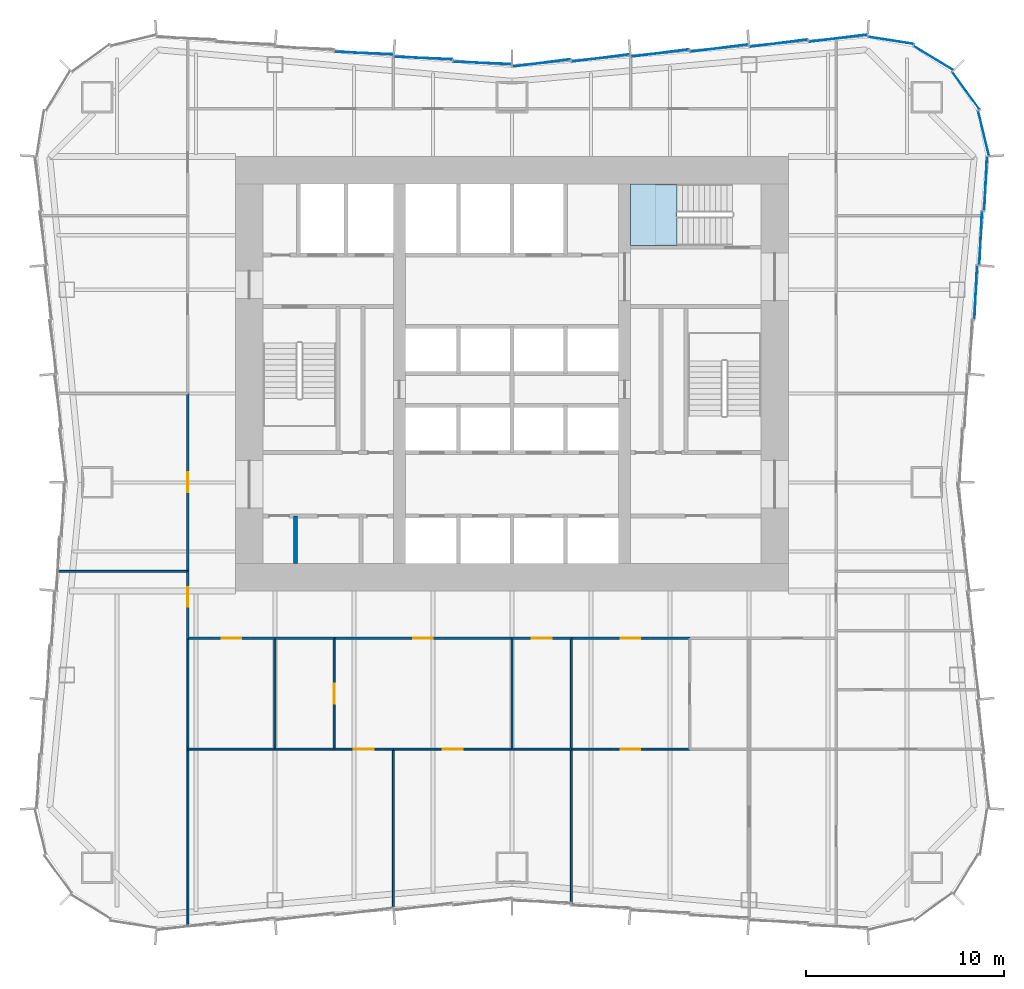
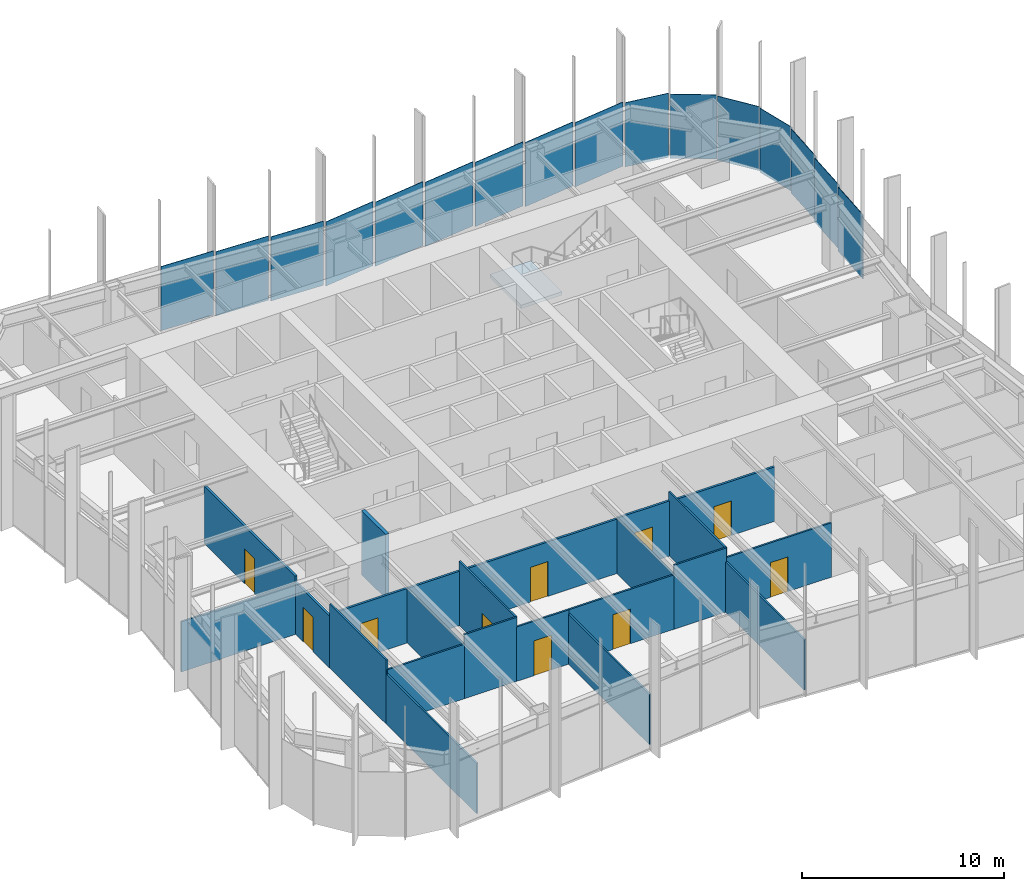
# One storey, part 9 of 13: 23 walls, 16 plates, 10 doors, 1 slab, 10 openings, 4 elements without a shape of their own.
"""IFC4 building model written with IfcOpenShell, lengths in metres."""

import ifcopenshell
import ifcopenshell.guid

model = None  # the IFC model being written
_history = None  # IfcOwnerHistory: only IFC2X3 demands one
_inside = {}  # id of a spatial element -> (the spatial element, [elements in it])
_under = {}  # id of a project, library or spatial element -> (it, [spatial elements below it])
_declared = {}  # id of a project -> (the project, [libraries it declares])
_typed = {}  # id of a type object -> (the type object, [elements of that type])
_made_of = {}  # id of a material, layer set ... -> (it, [elements and type objects made of it])


def new_model(schema):
    """Start an empty IFC model of exactly this schema.

    Asked for "IFC4X3", IfcOpenShell would pick the latest addendum, in which some entities
    have other attributes; the version numbers below select the first issue.
    IFC2X3 requires an IfcOwnerHistory on every rooted entity: one is made here for all.
    """
    global model, _history
    if schema == "IFC4X3":
        model = ifcopenshell.file(schema_version=(4, 3, 0, 0))
    else:
        model = ifcopenshell.file(schema=schema)
    _inside.clear()
    _under.clear()
    _declared.clear()
    _typed.clear()
    _made_of.clear()
    _history = None
    if model.schema == "IFC2X3":
        org = make("IfcOrganization", Name="unknown")
        user = make(
            "IfcPersonAndOrganization",
            ThePerson=make("IfcPerson", FamilyName="unknown"),
            TheOrganization=org,
        )
        app = make(
            "IfcApplication",
            ApplicationDeveloper=org,
            Version="unknown",
            ApplicationFullName="unknown",
            ApplicationIdentifier="unknown",
        )
        _history = make(
            "IfcOwnerHistory",
            OwningUser=user,
            OwningApplication=app,
            ChangeAction="ADDED",
            CreationDate=0,
        )
    return model


def make(cls, **values):
    """One entity of the class cls with the attributes given. An attribute that is None is left unset."""
    return model.create_entity(
        cls, **{name: value for name, value in values.items() if value is not None}
    )


def rooted(cls, **values):
    """An entity with a GlobalId (a new one), such as an element, a storey or a relation."""
    return make(cls, GlobalId=ifcopenshell.guid.new(), OwnerHistory=_history, **values)


def si_unit(unit_type, name, prefix=None):
    """IfcSIUnit, for example si_unit("LENGTHUNIT", "METRE", prefix="MILLI")."""
    return make("IfcSIUnit", UnitType=unit_type, Prefix=prefix, Name=name)


def assignment(units):
    """IfcUnitAssignment: the units of a project."""
    return None if units is None else make("IfcUnitAssignment", Units=units)


def point(xyz):
    """IfcCartesianPoint."""
    return None if xyz is None else make("IfcCartesianPoint", Coordinates=xyz)


def direction(xyz):
    """IfcDirection."""
    return None if xyz is None else make("IfcDirection", DirectionRatios=xyz)


def frame(location, z_axis=None, x_axis=None):
    """IfcAxis2Placement3D, a coordinate frame: its origin and axes. An axis left out is left unset."""
    return make(
        "IfcAxis2Placement3D",
        Location=point(location),
        Axis=direction(z_axis),
        RefDirection=direction(x_axis),
    )


def frame_2d(location, x_axis=None):
    """IfcAxis2Placement2D, a coordinate frame in the plane: its origin and x axis."""
    return make(
        "IfcAxis2Placement2D", Location=point(location), RefDirection=direction(x_axis)
    )


def origin():
    """The frame at (0, 0, 0) with its axes left unset."""
    return frame((0.0, 0.0, 0.0))


def origin_2d():
    """The frame at (0, 0) in the plane with its x axis left unset."""
    return frame_2d((0.0, 0.0))


def place(relative_to, where):
    """IfcLocalPlacement: puts the frame where relative to a parent placement (None: the world)."""
    return make(
        "IfcLocalPlacement", PlacementRelTo=relative_to, RelativePlacement=where
    )


def context(
    kind, dimensions, precision=None, world=None, true_north=None, identifier=None
):
    """IfcGeometricRepresentationContext, for example the 3D "Model" context."""
    return make(
        "IfcGeometricRepresentationContext",
        ContextIdentifier=identifier,
        ContextType=kind,
        CoordinateSpaceDimension=dimensions,
        Precision=precision,
        WorldCoordinateSystem=world,
        TrueNorth=true_north,
    )


def subcontext(parent, identifier, kind, view, scale=None):
    """IfcGeometricRepresentationSubContext, for example "Body" below "Model"."""
    return make(
        "IfcGeometricRepresentationSubContext",
        ContextIdentifier=identifier,
        ContextType=kind,
        ParentContext=parent,
        TargetScale=scale,
        TargetView=view,
    )


def project(units=None, contexts=None):
    """IfcProject with its units and contexts."""
    return rooted(
        "IfcProject",
        Name="project",
        RepresentationContexts=contexts,
        UnitsInContext=assignment(units),
    )


def spatial(cls, under=None, at=None, **own):
    """A site, building, storey or space (cls), placed at a placement, below another one or the project."""
    s = rooted(cls, ObjectPlacement=at, **own)
    if under is not None:
        _under.setdefault(under.id(), (under, []))[1].append(s)
    return s


def polyline(points):
    """IfcPolyline through the points."""
    return make("IfcPolyline", Points=[point(p) for p in points])


def profile(cls, at=None, kind="AREA", **sizes):
    """A parametric profile (cls). Its sizes go by their IFC names, for example OverallWidth=200.0."""
    return make(cls, ProfileType=kind, Position=at, **sizes)


def rectangle(**sizes):
    """IfcRectangleProfileDef."""
    return profile("IfcRectangleProfileDef", **sizes)


def outline(outer, holes=None, kind="AREA"):
    """IfcArbitraryClosedProfileDef: a profile drawn as a closed curve; with holes, ...WithVoids."""
    if holes is None:
        return make("IfcArbitraryClosedProfileDef", ProfileType=kind, OuterCurve=outer)
    return make(
        "IfcArbitraryProfileDefWithVoids",
        ProfileType=kind,
        OuterCurve=outer,
        InnerCurves=holes,
    )


def extrude(swept, where, along, depth):
    """IfcExtrudedAreaSolid: the profile swept, set in the frame where, extruded along a direction by depth."""
    return make(
        "IfcExtrudedAreaSolid",
        SweptArea=swept,
        Position=where,
        ExtrudedDirection=direction(along),
        Depth=depth,
    )


def shape(context_of_items, identifier, shape_type, items):
    """IfcShapeRepresentation: the items that make up one representation, for example the "Body"."""
    return make(
        "IfcShapeRepresentation",
        ContextOfItems=context_of_items,
        RepresentationIdentifier=identifier,
        RepresentationType=shape_type,
        Items=items,
    )


def material(Name=None, Category=None):
    """IfcMaterial."""
    return make("IfcMaterial", Name=Name, Category=Category)


def layer(
    of_material, thickness, ventilated=None, Name=None, Category=None, Priority=None
):
    """IfcMaterialLayer: one layer of a wall or slab, of a material (None: an air gap)."""
    return make(
        "IfcMaterialLayer",
        Material=of_material,
        LayerThickness=thickness,
        IsVentilated=ventilated,
        Name=Name,
        Category=Category,
        Priority=Priority,
    )


def layer_set(layers, Name=None):
    """IfcMaterialLayerSet."""
    return make("IfcMaterialLayerSet", MaterialLayers=layers, LayerSetName=Name)


def made_of(thing, what):
    """Note that an element or type object is made of a material, layer set ...; save() writes the relation."""
    if what is not None:
        _made_of.setdefault(what.id(), (what, []))[1].append(thing)
    return thing


def type_object(cls, material=None, **own):
    """A type object (cls), such as IfcWallType, which elements share."""
    return made_of(rooted(cls, **own), material)


def element(
    cls,
    number,
    at=None,
    inside=None,
    cuts=None,
    type_object=None,
    material=None,
    context=None,
    identifier="Body",
    shape_type=None,
    held_by="IfcProductDefinitionShape",
    body=None,
    shapes=None,
    **own,
):
    """One element of the class cls, such as IfcWall. Its Tag is "e" and its number.

    at: its placement. inside: the storey or other place that contains it. cuts: it is an
    opening in that element (IfcRelVoidsElement). A single representation is given by context,
    identifier, shape_type and body (its items); several are given by shapes. held_by: the class
    of the entity that holds the representations. save() writes the other relations.
    """
    e = rooted(cls, Tag="e%d" % number, ObjectPlacement=at, **own)
    if body is not None:
        shapes = [shape(context, identifier, shape_type, body)]
    if shapes is not None:
        e.Representation = make(held_by, Representations=shapes)
    if inside is not None:
        _inside.setdefault(inside.id(), (inside, []))[1].append(e)
    if cuts is not None:
        rooted(
            "IfcRelVoidsElement", RelatingBuildingElement=cuts, RelatedOpeningElement=e
        )
    if type_object is not None:
        _typed.setdefault(type_object.id(), (type_object, []))[1].append(e)
    return made_of(e, material)


def fill(opening, filler):
    """IfcRelFillsElement: the door or window that sits in an opening."""
    return rooted(
        "IfcRelFillsElement",
        RelatingOpeningElement=opening,
        RelatedBuildingElement=filler,
    )


def aggregate(whole, parts):
    """IfcRelAggregates: a whole, such as a stair, and the parts it consists of."""
    return rooted("IfcRelAggregates", RelatingObject=whole, RelatedObjects=parts)


def save(model, path):
    """Write the relations noted so far, then the file.

    IfcRelAggregates (storeys below a building ...), IfcRelContainedInSpatialStructure (elements
    in a storey), IfcRelDefinesByType, IfcRelAssociatesMaterial and IfcRelDeclares: one each for
    every whole, place, type object, material and project.
    """
    for whole, parts in _under.values():
        aggregate(whole, parts)
    for where, things in _inside.values():
        rooted(
            "IfcRelContainedInSpatialStructure",
            RelatedElements=things,
            RelatingStructure=where,
        )
    for kind, things in _typed.values():
        rooted("IfcRelDefinesByType", RelatedObjects=things, RelatingType=kind)
    for what, things in _made_of.values():
        rooted("IfcRelAssociatesMaterial", RelatedObjects=things, RelatingMaterial=what)
    for by, libraries in _declared.values():
        rooted("IfcRelDeclares", RelatingContext=by, RelatedDefinitions=libraries)
    model.write(path)


model = new_model("IFC4")

# Units and contexts
model_context = context("Model", 3, precision=1e-05, world=origin(), true_north=direction((0.0, 1.0)))
body_context = subcontext(model_context, "Body", "Model", "MODEL_VIEW")
ifc_project = project(units=[si_unit("LENGTHUNIT", "METRE"), si_unit("AREAUNIT", "SQUARE_METRE"), si_unit("VOLUMEUNIT", "CUBIC_METRE"), si_unit("PLANEANGLEUNIT", "RADIAN"), si_unit("MASSUNIT", "GRAM", prefix="KILO")], contexts=[model_context])

# Site, building, storey
site_placement = place(None, origin())
site = spatial("IfcSite", under=ifc_project, at=site_placement, CompositionType="ELEMENT")
building_placement = place(site_placement, origin())
building = spatial("IfcBuilding", under=site, at=building_placement, Name="Verdant Reach Tower", CompositionType="ELEMENT")
storey_placement = place(building_placement, frame((0.0, 0.0, 50.0)))
storey = spatial("IfcBuildingStorey", under=building, at=storey_placement, Name="L11", CompositionType="ELEMENT", Elevation=50.0)

# Stair, slab
ifc_material_1 = material(Name="Concrete C40/50", Category="concrete")
stair_type = type_object("IfcStairType", Name="CO-STAIR", PredefinedType="HALF_TURN_STAIR", material=ifc_material_1)
stair_placement = place(storey_placement, origin())
stair = element("IfcStair", 1, at=stair_placement, inside=storey, type_object=stair_type, Name="L11 Exit stair 3", PredefinedType="HALF_TURN_STAIR")
ifc_layer_1 = layer(ifc_material_1, 0.199951171875)
ifc_layer_set_1 = layer_set([ifc_layer_1], Name="CO-STAIR-LANDING")
slab_type = type_object("IfcSlabType", Name="CO-STAIR-LANDING", PredefinedType="LANDING", material=ifc_layer_set_1)
slab_placement = place(storey_placement, frame((0.0, 0.0, 1.800048828125)))
slab = element("IfcSlab", 2, at=slab_placement, type_object=slab_type, Name="ST-3 landing 1", PredefinedType="LANDING", context=body_context, shape_type="SweptSolid", body=[
    extrude(outline(polyline([(8.35009765625, 37.60009765625), (6.0, 37.60009765625), (6.0, 34.5), (8.35009765625, 34.5), (8.35009765625, 37.60009765625)])), origin(), (0.0, 0.0, 1.0), 0.199951171875),
])
aggregate(stair, [slab])

# Curtain wall, plate
ifc_material_2 = material(Name="Anodised aluminium", Category="aluminium")
curtain_wall_type = type_object("IfcCurtainWallType", Name="EN-CW SYSTEM Z0", PredefinedType="NOTDEFINED", material=ifc_material_2)
curtain_wall_1_placement = place(storey_placement, origin())
curtain_wall_1 = element("IfcCurtainWall", 3, at=curtain_wall_1_placement, inside=storey, type_object=curtain_wall_type, Name="Curtain wall north-east corner, L11", PredefinedType="NOTDEFINED")
ifc_material_3 = material(Name="Tinted glass with champagne spandrel", Category="glass")
ifc_layer_2 = layer(ifc_material_3, 0.031982421875)
ifc_layer_set_2 = layer_set([ifc_layer_2], Name="EN-PANEL CHAMPAGNE")
plate_type_1 = type_object("IfcPlateType", Name="EN-PANEL CHAMPAGNE", PredefinedType="CURTAIN_PANEL", material=ifc_layer_set_2)
plate_1_placement = place(storey_placement, frame((23.86767578125, 40.169921875, -0.22998046875), z_axis=(0.0, 0.0, 1.0), x_axis=(-0.236346786246, 0.97166876899, 0.0)))
plate_1 = element("IfcPlate", 4, at=plate_1_placement, type_object=plate_type_1, Name="Glass panel north-east corner 1.1, L11", PredefinedType="CURTAIN_PANEL", context=body_context, shape_type="SweptSolid", body=[
    extrude(rectangle(XDim=2.31884765625, YDim=0.031982421875, at=origin_2d()), origin(), (0.0, 0.0, 1.0), 3.8798828125),
])

# Curtain wall, plates
curtain_wall_2_placement = place(storey_placement, origin())
curtain_wall_2 = element("IfcCurtainWall", 5, at=curtain_wall_2_placement, inside=storey, type_object=curtain_wall_type, Name="Curtain wall north, L11", PredefinedType="NOTDEFINED")
plate_2_placement = place(storey_placement, frame((4.49169921875, 43.974609375, -0.22998046875), z_axis=(0.0, 0.0, 1.0), x_axis=(-0.992194034542, -0.124703639961, 0.0)))
plate_2 = element("IfcPlate", 6, at=plate_2_placement, type_object=plate_type_1, Name="Glass panel north face part 1 5.1, L11", PredefinedType="CURTAIN_PANEL", context=body_context, shape_type="SweptSolid", body=[
    extrude(rectangle(XDim=2.954345703125, YDim=0.031982421875, at=origin_2d()), origin(), (0.0, 0.0, 1.0), 3.8798828125),
])
plate_3_placement = place(storey_placement, frame((1.495849609375, 43.724853515625, -0.22998046875), z_axis=(0.0, 0.0, 1.0), x_axis=(-0.992179679439, -0.124817802047, 0.0)))
plate_3 = element("IfcPlate", 7, at=plate_3_placement, type_object=plate_type_1, Name="Glass panel north face part 1 6.1, L11", PredefinedType="CURTAIN_PANEL", context=body_context, shape_type="SweptSolid", body=[
    extrude(rectangle(XDim=2.946044921875, YDim=0.031982421875, at=origin_2d()), origin(), (0.0, 0.0, 1.0), 3.8798828125),
])
plate_4_placement = place(storey_placement, frame((-1.495849609375, 43.724853515625, -0.22998046875), z_axis=(0.0, 0.0, 1.0), x_axis=(-0.999144450138, 0.041356592674, 0.0)))
plate_4 = element("IfcPlate", 8, at=plate_4_placement, type_object=plate_type_1, Name="Glass panel north face part 2 1.1, L11", PredefinedType="CURTAIN_PANEL", context=body_context, shape_type="SweptSolid", body=[
    extrude(rectangle(XDim=2.946044921875, YDim=0.031982421875, at=origin_2d()), origin(), (0.0, 0.0, 1.0), 3.8798828125),
])

curtain_wall_3_placement = place(storey_placement, origin())
curtain_wall_3 = element("IfcCurtainWall", 9, at=curtain_wall_3_placement, inside=storey, type_object=curtain_wall_type, Name="Curtain wall east, L11", PredefinedType="NOTDEFINED")
ifc_material_4 = material(Name="Tinted glass with copper spandrel", Category="glass")
ifc_layer_3 = layer(ifc_material_4, 0.031982421875)
ifc_layer_set_3 = layer_set([ifc_layer_3], Name="EN-PANEL COPPER")
plate_type_2 = type_object("IfcPlateType", Name="EN-PANEL COPPER", PredefinedType="CURTAIN_PANEL", material=ifc_layer_set_3)
plate_5_placement = place(storey_placement, frame((23.474609375, 32.115966796875, -0.22998046875), z_axis=(0.0, 0.0, 1.0), x_axis=(0.04875265175, 0.998810882473, 0.0)))
plate_5 = element("IfcPlate", 10, at=plate_5_placement, type_object=plate_type_2, Name="Glass panel east face part 2 4.1, L11", PredefinedType="CURTAIN_PANEL", context=body_context, shape_type="SweptSolid", body=[
    extrude(rectangle(XDim=2.705322265625, YDim=0.031982421875, at=origin_2d()), origin(), (0.0, 0.0, 1.0), 3.8798828125),
])
plate_6_placement = place(storey_placement, frame((23.724609375, 34.865966796875, -0.22998046875), z_axis=(0.0, 0.0, 1.0), x_axis=(0.04875265175, 0.998810882473, 0.0)))
plate_6 = element("IfcPlate", 11, at=plate_6_placement, type_object=plate_type_2, Name="Glass panel east face part 2 5.1, L11", PredefinedType="CURTAIN_PANEL", context=body_context, shape_type="SweptSolid", body=[
    extrude(rectangle(XDim=2.705322265625, YDim=0.031982421875, at=origin_2d()), origin(), (0.0, 0.0, 1.0), 3.8798828125),
])

# Plate
plate_7_placement = place(storey_placement, frame((22.974609375, 42.32373046875, -0.22998046875), z_axis=(0.0, 0.0, 1.0), x_axis=(-0.589926778461, 0.807456745624, 0.0)))
plate_7 = element("IfcPlate", 12, at=plate_7_placement, type_object=plate_type_2, Name="Glass panel north-east corner 2.1, L11", PredefinedType="CURTAIN_PANEL", context=body_context, shape_type="SweptSolid", body=[
    extrude(rectangle(XDim=2.32421875, YDim=0.031982421875, at=origin_2d()), origin(), (0.0, 0.0, 1.0), 3.8798828125),
])

plate_8_placement = place(storey_placement, frame((21.32373046875, 43.974609375, -0.22998046875), z_axis=(0.0, 0.0, 1.0), x_axis=(-0.853988681713, 0.520291583159, 0.0)))
plate_8 = element("IfcPlate", 13, at=plate_8_placement, type_object=plate_type_2, Name="Glass panel north-east corner 3.1, L11", PredefinedType="CURTAIN_PANEL", context=body_context, shape_type="SweptSolid", body=[
    extrude(rectangle(XDim=2.32421875, YDim=0.031982421875, at=origin_2d()), origin(), (0.0, 0.0, 1.0), 3.8798828125),
])

plate_9_placement = place(storey_placement, frame((16.498779296875, 44.974853515625, -0.22998046875), z_axis=(0.0, 0.0, 1.0), x_axis=(-0.992234176789, -0.124383835008, 0.0)))
plate_9 = element("IfcPlate", 14, at=plate_9_placement, type_object=plate_type_2, Name="Glass panel north face part 1 1.1, L11", PredefinedType="CURTAIN_PANEL", context=body_context, shape_type="SweptSolid", body=[
    extrude(rectangle(XDim=2.96826171875, YDim=0.031982421875, at=origin_2d()), origin(), (0.0, 0.0, 1.0), 3.8798828125),
])

plate_10_placement = place(storey_placement, frame((13.49169921875, 44.724609375, -0.22998046875), z_axis=(0.0, 0.0, 1.0), x_axis=(-0.992194034542, -0.124703639961, 0.0)))
plate_10 = element("IfcPlate", 15, at=plate_10_placement, type_object=plate_type_2, Name="Glass panel north face part 1 2.1, L11", PredefinedType="CURTAIN_PANEL", context=body_context, shape_type="SweptSolid", body=[
    extrude(rectangle(XDim=2.954345703125, YDim=0.031982421875, at=origin_2d()), origin(), (0.0, 0.0, 1.0), 3.8798828125),
])

plate_11_placement = place(storey_placement, frame((-4.49169921875, 43.974609375, -0.22998046875), z_axis=(0.0, 0.0, 1.0), x_axis=(-0.999149202059, 0.041241629766, 0.0)))
plate_11 = element("IfcPlate", 16, at=plate_11_placement, type_object=plate_type_2, Name="Glass panel north face part 2 2.1, L11", PredefinedType="CURTAIN_PANEL", context=body_context, shape_type="SweptSolid", body=[
    extrude(rectangle(XDim=2.954345703125, YDim=0.031982421875, at=origin_2d()), origin(), (0.0, 0.0, 1.0), 3.8798828125),
])

plate_12_placement = place(storey_placement, frame((-7.49169921875, 44.224609375, -0.22998046875), z_axis=(0.0, 0.0, 1.0), x_axis=(-0.999149202059, 0.041241629766, 0.0)))
plate_12 = element("IfcPlate", 17, at=plate_12_placement, type_object=plate_type_2, Name="Glass panel north face part 2 3.1, L11", PredefinedType="CURTAIN_PANEL", context=body_context, shape_type="SweptSolid", body=[
    extrude(rectangle(XDim=2.954345703125, YDim=0.031982421875, at=origin_2d()), origin(), (0.0, 0.0, 1.0), 3.8798828125),
])

ifc_material_5 = material(Name="Tinted glass with dark bronze spandrel", Category="glass")
ifc_layer_4 = layer(ifc_material_5, 0.031982421875)
ifc_layer_set_4 = layer_set([ifc_layer_4], Name="EN-PANEL DARK")
plate_type_3 = type_object("IfcPlateType", Name="EN-PANEL DARK", PredefinedType="CURTAIN_PANEL", material=ifc_layer_set_4)
plate_13_placement = place(storey_placement, frame((23.974609375, 37.623046875, -0.22998046875), z_axis=(0.0, 0.0, 1.0), x_axis=(0.048382779248, 0.998828867561, 0.0)))
plate_13 = element("IfcPlate", 18, at=plate_13_placement, type_object=plate_type_3, Name="Glass panel east face part 2 6.1, L11", PredefinedType="CURTAIN_PANEL", context=body_context, shape_type="SweptSolid", body=[
    extrude(rectangle(XDim=2.7197265625, YDim=0.031982421875, at=origin_2d()), origin(), (0.0, 0.0, 1.0), 3.8798828125),
])

aggregate(curtain_wall_3, [plate_5, plate_6, plate_13])

plate_14_placement = place(storey_placement, frame((19.169921875, 44.86767578125, -0.22998046875), z_axis=(0.0, 0.0, 1.0), x_axis=(-0.98803452381, 0.154232875093, 0.0)))
plate_14 = element("IfcPlate", 19, at=plate_14_placement, type_object=plate_type_3, Name="Glass panel north-east corner 4.1, L11", PredefinedType="CURTAIN_PANEL", context=body_context, shape_type="SweptSolid", body=[
    extrude(rectangle(XDim=2.318603515625, YDim=0.031982421875, at=origin_2d()), origin(), (0.0, 0.0, 1.0), 3.8798828125),
])

aggregate(curtain_wall_1, [plate_1, plate_7, plate_8, plate_14])

plate_15_placement = place(storey_placement, frame((10.49169921875, 44.474609375, -0.22998046875), z_axis=(0.0, 0.0, 1.0), x_axis=(-0.992194034542, -0.124703639961, 0.0)))
plate_15 = element("IfcPlate", 20, at=plate_15_placement, type_object=plate_type_3, Name="Glass panel north face part 1 3.1, L11", PredefinedType="CURTAIN_PANEL", context=body_context, shape_type="SweptSolid", body=[
    extrude(rectangle(XDim=2.954345703125, YDim=0.031982421875, at=origin_2d()), origin(), (0.0, 0.0, 1.0), 3.8798828125),
])

plate_16_placement = place(storey_placement, frame((7.49169921875, 44.224609375, -0.22998046875), z_axis=(0.0, 0.0, 1.0), x_axis=(-0.992194034542, -0.124703639961, 0.0)))
plate_16 = element("IfcPlate", 21, at=plate_16_placement, type_object=plate_type_3, Name="Glass panel north face part 1 4.1, L11", PredefinedType="CURTAIN_PANEL", context=body_context, shape_type="SweptSolid", body=[
    extrude(rectangle(XDim=2.954345703125, YDim=0.031982421875, at=origin_2d()), origin(), (0.0, 0.0, 1.0), 3.8798828125),
])

aggregate(curtain_wall_2, [plate_9, plate_10, plate_15, plate_16, plate_2, plate_3, plate_4, plate_11, plate_12])

# Walls
ifc_material_6 = material(Name="Gypsum board on steel studs", Category="steel")
ifc_layer_5 = layer(ifc_material_6, 0.199951171875)
ifc_layer_set_5 = layer_set([ifc_layer_5], Name="CO-WALL-ROOM")
wall_type_1 = type_object("IfcWallType", Name="CO-WALL-ROOM", PredefinedType="PARTITIONING", material=ifc_layer_set_5)
wall_1_placement = place(storey_placement, frame((-10.949951171875, 18.39990234375, 0.0), z_axis=(0.0, 0.0, 1.0), x_axis=(0.0, 1.0, 0.0)))
element("IfcWall", 22, at=wall_1_placement, inside=storey, type_object=wall_type_1, Name="Core partition, L11", PredefinedType="PARTITIONING", context=body_context, shape_type="SweptSolid", body=[
    extrude(rectangle(XDim=2.400146484375, YDim=0.199951171875, at=frame_2d((1.2001953125, 0.0))), origin(), (0.0, 0.0, 1.0), 3.8701171875),
])
ifc_layer_6 = layer(ifc_material_6, 0.10009765625)
ifc_layer_set_6 = layer_set([ifc_layer_6], Name="FL-W1 Partition 100")
wall_type_2 = type_object("IfcWallType", Name="FL-W1 Partition 100", PredefinedType="PARTITIONING", material=ifc_layer_set_6)
wall_2_placement = place(storey_placement, frame((-12.0, 9.0, 0.0), z_axis=(0.0, 0.0, 1.0), x_axis=(0.0, 1.0, 0.0)))
element("IfcWall", 23, at=wall_2_placement, inside=storey, type_object=wall_type_2, Name="Partition 11.20", PredefinedType="PARTITIONING", context=body_context, shape_type="SweptSolid", body=[
    extrude(rectangle(XDim=5.60009765625, YDim=0.10009765625, at=frame_2d((2.800048828125, 0.0))), origin(), (0.0, 0.0, 1.0), 3.2900390625),
])
wall_3_placement = place(storey_placement, frame((-16.39990234375, 9.0, 0.0), z_axis=(0.0, 0.0, 1.0), x_axis=(1.0, 0.0, 0.0)))
element("IfcWall", 24, at=wall_3_placement, inside=storey, type_object=wall_type_2, Name="Partition 11.21", PredefinedType="PARTITIONING", context=body_context, shape_type="SweptSolid", body=[
    extrude(rectangle(XDim=4.40380859375, YDim=0.10009765625, at=frame_2d((2.201904296875, 0.0))), origin(), (0.0, 0.0, 1.0), 3.2900390625),
])
wall_4_placement = place(storey_placement, frame((-16.39990234375, 14.60400390625, 0.0), z_axis=(0.0, 0.0, 1.0), x_axis=(0.0, -1.0, 0.0)))
element("IfcWall", 25, at=wall_4_placement, inside=storey, type_object=wall_type_2, Name="Partition 11.22", PredefinedType="PARTITIONING", context=body_context, shape_type="SweptSolid", body=[
    extrude(rectangle(XDim=5.60791015625, YDim=0.10009765625, at=frame_2d((2.803955078125, 0.0))), origin(), (0.0, 0.0, 1.0), 3.8701171875),
])

# Wall, opening, door
wall_5_placement = place(storey_placement, frame((-9.0, 9.0, 0.0), z_axis=(0.0, 0.0, 1.0), x_axis=(0.0, 1.0, 0.0)))
wall_5 = element("IfcWall", 26, at=wall_5_placement, inside=storey, type_object=wall_type_2, Name="Partition 11.23", PredefinedType="PARTITIONING", context=body_context, shape_type="SweptSolid", body=[
    extrude(rectangle(XDim=5.60009765625, YDim=0.10009765625, at=frame_2d((2.800048828125, 0.0))), origin(), (0.0, 0.0, 1.0), 3.8701171875),
])
opening_1_placement = place(wall_5_placement, frame((2.300048828125, 0.0, 0.0)))
opening_1 = element("IfcOpeningElement", 27, at=opening_1_placement, cuts=wall_5, Name="Opening D3", PredefinedType="OPENING", context=body_context, shape_type="SweptSolid", body=[
    extrude(rectangle(XDim=1.0, YDim=2.10009765625, at=frame_2d((0.5, 1.050048828125))), frame((0.0, 0.06005859375, 0.0), z_axis=(0.0, -1.0, 0.0), x_axis=(1.0, 0.0, 0.0)), (0.0, 0.0, 1.0), 0.1201171875),
])
ifc_material_7 = material(Name="Painted timber door leaf", Category="wood")
door_type_1 = type_object("IfcDoorType", Name="FL-D3 Door 1000x2100", OperationType="NOTDEFINED", PredefinedType="DOOR", material=ifc_material_7)
door_1_placement = place(opening_1_placement, origin())
door_1 = element("IfcDoor", 28, at=door_1_placement, inside=storey, type_object=door_type_1, Name="Door 11-017", OperationType="SINGLE_SWING_LEFT", OverallHeight=2.10009765625, OverallWidth=1.0, PredefinedType="DOOR", context=body_context, shape_type="SweptSolid", body=[
    extrude(rectangle(XDim=1.0, YDim=2.10009765625, at=frame_2d((0.5, 1.050048828125))), frame((0.0, 0.02490234375, 0.0), z_axis=(0.0, -1.0, 0.0), x_axis=(1.0, 0.0, 0.0)), (0.0, 0.0, 1.0), 0.050048828125),
])
fill(opening_1, door_1)

# Walls
wall_6_placement = place(storey_placement, frame((-12.00390625, 9.0, 0.0), z_axis=(0.0, 0.0, 1.0), x_axis=(1.0, 0.0, 0.0)))
element("IfcWall", 29, at=wall_6_placement, inside=storey, type_object=wall_type_2, Name="Partition 11.24", PredefinedType="PARTITIONING", context=body_context, shape_type="SweptSolid", body=[
    extrude(rectangle(XDim=3.0078125, YDim=0.10009765625, at=frame_2d((1.50390625, 0.0))), origin(), (0.0, 0.0, 1.0), 3.8701171875),
])
wall_7_placement = place(storey_placement, frame((0.0, 9.0, 0.0), z_axis=(0.0, 0.0, 1.0), x_axis=(0.0, 1.0, 0.0)))
element("IfcWall", 30, at=wall_7_placement, inside=storey, type_object=wall_type_2, Name="Partition 11.25", PredefinedType="PARTITIONING", context=body_context, shape_type="SweptSolid", body=[
    extrude(rectangle(XDim=5.60009765625, YDim=0.10009765625, at=frame_2d((2.800048828125, 0.0))), origin(), (0.0, 0.0, 1.0), 3.340087890625),
])

# Wall, opening, door
wall_8_placement = place(storey_placement, frame((-6.0, 9.0, 0.0), z_axis=(0.0, 0.0, 1.0), x_axis=(-1.0, 0.0, 0.0)))
wall_8 = element("IfcWall", 31, at=wall_8_placement, inside=storey, type_object=wall_type_2, Name="Partition 11.26", PredefinedType="PARTITIONING", context=body_context, shape_type="SweptSolid", body=[
    extrude(rectangle(XDim=3.00390625, YDim=0.10009765625, at=frame_2d((1.501953125, 0.0))), origin(), (0.0, 0.0, 1.0), 3.2900390625),
])
opening_2_placement = place(wall_8_placement, frame((1.001953125, 0.0, 0.0)))
opening_2 = element("IfcOpeningElement", 32, at=opening_2_placement, cuts=wall_8, Name="Opening D3", PredefinedType="OPENING", context=body_context, shape_type="SweptSolid", body=[
    extrude(rectangle(XDim=1.0, YDim=2.10009765625, at=frame_2d((0.5, 1.050048828125))), frame((0.0, 0.06005859375, 0.0), z_axis=(0.0, -1.0, 0.0), x_axis=(1.0, 0.0, 0.0)), (0.0, 0.0, 1.0), 0.1201171875),
])
door_2_placement = place(opening_2_placement, origin())
door_2 = element("IfcDoor", 33, at=door_2_placement, inside=storey, type_object=door_type_1, Name="Door 11-018", OperationType="SINGLE_SWING_RIGHT", OverallHeight=2.10009765625, OverallWidth=1.0, PredefinedType="DOOR", context=body_context, shape_type="SweptSolid", body=[
    extrude(rectangle(XDim=1.0, YDim=2.10009765625, at=frame_2d((0.5, 1.050048828125))), frame((0.0, 0.02490234375, 0.0), z_axis=(0.0, -1.0, 0.0), x_axis=(1.0, 0.0, 0.0)), (0.0, 0.0, 1.0), 0.050048828125),
])
fill(opening_2, door_2)

wall_9_placement = place(storey_placement, frame((0.00390625, 9.0, 0.0), z_axis=(0.0, 0.0, 1.0), x_axis=(-1.0, 0.0, 0.0)))
wall_9 = element("IfcWall", 34, at=wall_9_placement, inside=storey, type_object=wall_type_2, Name="Partition 11.27", PredefinedType="PARTITIONING", context=body_context, shape_type="SweptSolid", body=[
    extrude(rectangle(XDim=6.00390625, YDim=0.10009765625, at=frame_2d((3.001953125, 0.0))), origin(), (0.0, 0.0, 1.0), 3.2900390625),
])
opening_3_placement = place(wall_9_placement, frame((2.501953125, 0.0, 0.0)))
opening_3 = element("IfcOpeningElement", 35, at=opening_3_placement, cuts=wall_9, Name="Opening D3", PredefinedType="OPENING", context=body_context, shape_type="SweptSolid", body=[
    extrude(rectangle(XDim=1.0, YDim=2.10009765625, at=frame_2d((0.5, 1.050048828125))), frame((0.0, 0.06005859375, 0.0), z_axis=(0.0, -1.0, 0.0), x_axis=(1.0, 0.0, 0.0)), (0.0, 0.0, 1.0), 0.1201171875),
])
door_3_placement = place(opening_3_placement, origin())
door_3 = element("IfcDoor", 36, at=door_3_placement, inside=storey, type_object=door_type_1, Name="Door 11-019", OperationType="SINGLE_SWING_LEFT", OverallHeight=2.10009765625, OverallWidth=1.0, PredefinedType="DOOR", context=body_context, shape_type="SweptSolid", body=[
    extrude(rectangle(XDim=1.0, YDim=2.10009765625, at=frame_2d((0.5, 1.050048828125))), frame((0.0, 0.02490234375, 0.0), z_axis=(0.0, -1.0, 0.0), x_axis=(1.0, 0.0, 0.0)), (0.0, 0.0, 1.0), 0.050048828125),
])
fill(opening_3, door_3)

# Walls
wall_10_placement = place(storey_placement, frame((-0.00390625, 9.0, 0.0), z_axis=(0.0, 0.0, 1.0), x_axis=(1.0, 0.0, 0.0)))
element("IfcWall", 37, at=wall_10_placement, inside=storey, type_object=wall_type_2, Name="Partition 11.28", PredefinedType="PARTITIONING", context=body_context, shape_type="SweptSolid", body=[
    extrude(rectangle(XDim=3.00390625, YDim=0.10009765625, at=frame_2d((1.501953125, 0.0))), origin(), (0.0, 0.0, 1.0), 3.8701171875),
])
wall_11_placement = place(storey_placement, frame((3.0, 9.0, 0.0), z_axis=(0.0, 0.0, 1.0), x_axis=(0.0, 1.0, 0.0)))
element("IfcWall", 38, at=wall_11_placement, inside=storey, type_object=wall_type_2, Name="Partition 11.29", PredefinedType="PARTITIONING", context=body_context, shape_type="SweptSolid", body=[
    extrude(rectangle(XDim=5.60009765625, YDim=0.10009765625, at=frame_2d((2.800048828125, 0.0))), origin(), (0.0, 0.0, 1.0), 3.8701171875),
])
wall_12_placement = place(storey_placement, frame((-6.0, 0.919921875, 0.0), z_axis=(0.0, 0.0, 1.0), x_axis=(0.0, 1.0, 0.0)))
element("IfcWall", 39, at=wall_12_placement, inside=storey, type_object=wall_type_2, Name="Partition 11.30", PredefinedType="PARTITIONING", context=body_context, shape_type="SweptSolid", body=[
    extrude(rectangle(XDim=8.080078125, YDim=0.10009765625, at=frame_2d((4.0400390625, 0.0))), origin(), (0.0, 0.0, 1.0), 3.0400390625),
])
wall_13_placement = place(storey_placement, frame((-16.39990234375, 9.00390625, 0.0), z_axis=(0.0, 0.0, 1.0), x_axis=(0.0, -1.0, 0.0)))
element("IfcWall", 40, at=wall_13_placement, inside=storey, type_object=wall_type_2, Name="Partition 11.31", PredefinedType="PARTITIONING", context=body_context, shape_type="SweptSolid", body=[
    extrude(rectangle(XDim=8.95068359375, YDim=0.10009765625, at=frame_2d((4.475341796875, 0.0))), origin(), (0.0, 0.0, 1.0), 3.0400390625),
])
wall_14_placement = place(storey_placement, frame((3.0, 1.169921875, 0.0), z_axis=(0.0, 0.0, 1.0), x_axis=(0.0, 1.0, 0.0)))
element("IfcWall", 41, at=wall_14_placement, inside=storey, type_object=wall_type_2, Name="Partition 11.32", PredefinedType="PARTITIONING", context=body_context, shape_type="SweptSolid", body=[
    extrude(rectangle(XDim=7.830078125, YDim=0.10009765625, at=frame_2d((3.9150390625, 0.0))), origin(), (0.0, 0.0, 1.0), 3.0400390625),
])

# Wall, opening, door
wall_15_placement = place(storey_placement, frame((9.00390625, 9.0, 0.0), z_axis=(0.0, 0.0, 1.0), x_axis=(-1.0, 0.0, 0.0)))
wall_15 = element("IfcWall", 42, at=wall_15_placement, inside=storey, type_object=wall_type_2, Name="Partition 11.34", PredefinedType="PARTITIONING", context=body_context, shape_type="SweptSolid", body=[
    extrude(rectangle(XDim=6.00390625, YDim=0.10009765625, at=frame_2d((3.001953125, 0.0))), origin(), (0.0, 0.0, 1.0), 3.2900390625),
])
opening_4_placement = place(wall_15_placement, frame((2.501953125, 0.0, 0.0)))
opening_4 = element("IfcOpeningElement", 43, at=opening_4_placement, cuts=wall_15, Name="Opening D3", PredefinedType="OPENING", context=body_context, shape_type="SweptSolid", body=[
    extrude(rectangle(XDim=1.0, YDim=2.10009765625, at=frame_2d((0.5, 1.050048828125))), frame((0.0, 0.06005859375, 0.0), z_axis=(0.0, -1.0, 0.0), x_axis=(1.0, 0.0, 0.0)), (0.0, 0.0, 1.0), 0.1201171875),
])
door_4_placement = place(opening_4_placement, origin())
door_4 = element("IfcDoor", 44, at=door_4_placement, inside=storey, type_object=door_type_1, Name="Door 11-021", OperationType="SINGLE_SWING_LEFT", OverallHeight=2.10009765625, OverallWidth=1.0, PredefinedType="DOOR", context=body_context, shape_type="SweptSolid", body=[
    extrude(rectangle(XDim=1.0, YDim=2.10009765625, at=frame_2d((0.5, 1.050048828125))), frame((0.0, 0.02490234375, 0.0), z_axis=(0.0, -1.0, 0.0), x_axis=(1.0, 0.0, 0.0)), (0.0, 0.0, 1.0), 0.050048828125),
])
fill(opening_4, door_4)

# Wall
wall_16_placement = place(storey_placement, frame((-16.39990234375, 18.0, 0.0), z_axis=(0.0, 0.0, 1.0), x_axis=(-1.0, 0.0, 0.0)))
element("IfcWall", 45, at=wall_16_placement, inside=storey, type_object=wall_type_2, Name="Partition 11.46", PredefinedType="PARTITIONING", context=body_context, shape_type="SweptSolid", body=[
    extrude(rectangle(XDim=6.589111328125, YDim=0.10009765625, at=frame_2d((3.29443359375, 0.0))), origin(), (0.0, 0.0, 1.0), 3.0400390625),
])

# Wall, opening, door
ifc_material_8 = material(Name="Gypsum board on steel studs, fire rated", Category="steel")
ifc_layer_7 = layer(ifc_material_8, 0.125)
ifc_layer_set_7 = layer_set([ifc_layer_7], Name="FL-W2 Corridor wall 125")
wall_type_3 = type_object("IfcWallType", Name="FL-W2 Corridor wall 125", PredefinedType="PARTITIONING", material=ifc_layer_set_7)
wall_17_placement = place(storey_placement, frame((-12.0, 14.60009765625, 0.0), z_axis=(0.0, 0.0, 1.0), x_axis=(-1.0, 0.0, 0.0)))
wall_17 = element("IfcWall", 46, at=wall_17_placement, inside=storey, type_object=wall_type_3, Name="Partition 11.01", PredefinedType="PARTITIONING", context=body_context, shape_type="SweptSolid", body=[
    extrude(rectangle(XDim=4.39990234375, YDim=0.125, at=frame_2d((2.199951171875, 0.0))), origin(), (0.0, 0.0, 1.0), 3.2900390625),
])
opening_5_placement = place(wall_17_placement, frame((1.699951171875, 0.0, 0.0)))
opening_5 = element("IfcOpeningElement", 47, at=opening_5_placement, cuts=wall_17, Name="Opening D2", PredefinedType="OPENING", context=body_context, shape_type="SweptSolid", body=[
    extrude(rectangle(XDim=1.0, YDim=2.10009765625, at=frame_2d((0.5, 1.050048828125))), frame((0.0, 0.072509765625, 0.0), z_axis=(0.0, -1.0, 0.0), x_axis=(1.0, 0.0, 0.0)), (0.0, 0.0, 1.0), 0.14501953125),
])
ifc_material_9 = material(Name="Timber door leaf, fire rated", Category="wood")
door_type_2 = type_object("IfcDoorType", Name="FL-D2 Entrance door 1000x2100 FD30", OperationType="NOTDEFINED", PredefinedType="DOOR", material=ifc_material_9)
door_5_placement = place(opening_5_placement, origin())
door_5 = element("IfcDoor", 48, at=door_5_placement, inside=storey, type_object=door_type_2, Name="Door 11-001", OperationType="SINGLE_SWING_LEFT", OverallHeight=2.10009765625, OverallWidth=1.0, PredefinedType="DOOR", context=body_context, shape_type="SweptSolid", body=[
    extrude(rectangle(XDim=1.0, YDim=2.10009765625, at=frame_2d((0.5, 1.050048828125))), frame((0.0, 0.02490234375, 0.0), z_axis=(0.0, -1.0, 0.0), x_axis=(1.0, 0.0, 0.0)), (0.0, 0.0, 1.0), 0.050048828125),
])
fill(opening_5, door_5)

# Wall
wall_18_placement = place(storey_placement, frame((-12.0, 14.60009765625, 0.0), z_axis=(0.0, 0.0, 1.0), x_axis=(1.0, 0.0, 0.0)))
element("IfcWall", 49, at=wall_18_placement, inside=storey, type_object=wall_type_3, Name="Partition 11.02", PredefinedType="PARTITIONING", context=body_context, shape_type="SweptSolid", body=[
    extrude(rectangle(XDim=3.0, YDim=0.125, at=frame_2d((1.5, 0.0))), origin(), (0.0, 0.0, 1.0), 3.2900390625),
])

# Wall, opening, door
wall_19_placement = place(storey_placement, frame((0.0, 14.60009765625, 0.0), z_axis=(0.0, 0.0, 1.0), x_axis=(-1.0, 0.0, 0.0)))
wall_19 = element("IfcWall", 50, at=wall_19_placement, inside=storey, type_object=wall_type_3, Name="Partition 11.03", PredefinedType="PARTITIONING", context=body_context, shape_type="SweptSolid", body=[
    extrude(rectangle(XDim=9.0, YDim=0.125, at=frame_2d((4.5, 0.0))), origin(), (0.0, 0.0, 1.0), 3.2900390625),
])
opening_6_placement = place(wall_19_placement, frame((4.0, 0.0, 0.0)))
opening_6 = element("IfcOpeningElement", 51, at=opening_6_placement, cuts=wall_19, Name="Opening D2", PredefinedType="OPENING", context=body_context, shape_type="SweptSolid", body=[
    extrude(rectangle(XDim=1.0, YDim=2.10009765625, at=frame_2d((0.5, 1.050048828125))), frame((0.0, 0.072509765625, 0.0), z_axis=(0.0, -1.0, 0.0), x_axis=(1.0, 0.0, 0.0)), (0.0, 0.0, 1.0), 0.14501953125),
])
door_6_placement = place(opening_6_placement, origin())
door_6 = element("IfcDoor", 52, at=door_6_placement, inside=storey, type_object=door_type_2, Name="Door 11-002", OperationType="SINGLE_SWING_RIGHT", OverallHeight=2.10009765625, OverallWidth=1.0, PredefinedType="DOOR", context=body_context, shape_type="SweptSolid", body=[
    extrude(rectangle(XDim=1.0, YDim=2.10009765625, at=frame_2d((0.5, 1.050048828125))), frame((0.0, 0.02490234375, 0.0), z_axis=(0.0, -1.0, 0.0), x_axis=(1.0, 0.0, 0.0)), (0.0, 0.0, 1.0), 0.050048828125),
])
fill(opening_6, door_6)

wall_20_placement = place(storey_placement, frame((3.0, 14.60009765625, 0.0), z_axis=(0.0, 0.0, 1.0), x_axis=(-1.0, 0.0, 0.0)))
wall_20 = element("IfcWall", 53, at=wall_20_placement, inside=storey, type_object=wall_type_3, Name="Partition 11.04", PredefinedType="PARTITIONING", context=body_context, shape_type="SweptSolid", body=[
    extrude(rectangle(XDim=3.0, YDim=0.125, at=frame_2d((1.5, 0.0))), origin(), (0.0, 0.0, 1.0), 3.340087890625),
])
opening_7_placement = place(wall_20_placement, frame((1.0, 0.0, 0.0)))
opening_7 = element("IfcOpeningElement", 54, at=opening_7_placement, cuts=wall_20, Name="Opening D2", PredefinedType="OPENING", context=body_context, shape_type="SweptSolid", body=[
    extrude(rectangle(XDim=1.0, YDim=2.10009765625, at=frame_2d((0.5, 1.050048828125))), frame((0.0, 0.072509765625, 0.0), z_axis=(0.0, -1.0, 0.0), x_axis=(1.0, 0.0, 0.0)), (0.0, 0.0, 1.0), 0.14501953125),
])
door_7_placement = place(opening_7_placement, origin())
door_7 = element("IfcDoor", 55, at=door_7_placement, inside=storey, type_object=door_type_2, Name="Door 11-003", OperationType="SINGLE_SWING_LEFT", OverallHeight=2.10009765625, OverallWidth=1.0, PredefinedType="DOOR", context=body_context, shape_type="SweptSolid", body=[
    extrude(rectangle(XDim=1.0, YDim=2.10009765625, at=frame_2d((0.5, 1.050048828125))), frame((0.0, 0.02490234375, 0.0), z_axis=(0.0, -1.0, 0.0), x_axis=(1.0, 0.0, 0.0)), (0.0, 0.0, 1.0), 0.050048828125),
])
fill(opening_7, door_7)

wall_21_placement = place(storey_placement, frame((9.0, 14.60009765625, 0.0), z_axis=(0.0, 0.0, 1.0), x_axis=(-1.0, 0.0, 0.0)))
wall_21 = element("IfcWall", 56, at=wall_21_placement, inside=storey, type_object=wall_type_3, Name="Partition 11.05", PredefinedType="PARTITIONING", context=body_context, shape_type="SweptSolid", body=[
    extrude(rectangle(XDim=6.0, YDim=0.125, at=frame_2d((3.0, 0.0))), origin(), (0.0, 0.0, 1.0), 3.2900390625),
])
opening_8_placement = place(wall_21_placement, frame((2.5, 0.0, 0.0)))
opening_8 = element("IfcOpeningElement", 57, at=opening_8_placement, cuts=wall_21, Name="Opening D2", PredefinedType="OPENING", context=body_context, shape_type="SweptSolid", body=[
    extrude(rectangle(XDim=1.0, YDim=2.10009765625, at=frame_2d((0.5, 1.050048828125))), frame((0.0, 0.072509765625, 0.0), z_axis=(0.0, -1.0, 0.0), x_axis=(1.0, 0.0, 0.0)), (0.0, 0.0, 1.0), 0.14501953125),
])
door_8_placement = place(opening_8_placement, origin())
door_8 = element("IfcDoor", 58, at=door_8_placement, inside=storey, type_object=door_type_2, Name="Door 11-004", OperationType="SINGLE_SWING_RIGHT", OverallHeight=2.10009765625, OverallWidth=1.0, PredefinedType="DOOR", context=body_context, shape_type="SweptSolid", body=[
    extrude(rectangle(XDim=1.0, YDim=2.10009765625, at=frame_2d((0.5, 1.050048828125))), frame((0.0, 0.02490234375, 0.0), z_axis=(0.0, -1.0, 0.0), x_axis=(1.0, 0.0, 0.0)), (0.0, 0.0, 1.0), 0.050048828125),
])
fill(opening_8, door_8)

wall_22_placement = place(storey_placement, frame((-16.39990234375, 14.595947265625, 0.0), z_axis=(0.0, 0.0, 1.0), x_axis=(0.0, 1.0, 0.0)))
wall_22 = element("IfcWall", 59, at=wall_22_placement, inside=storey, type_object=wall_type_3, Name="Partition 11.11", PredefinedType="PARTITIONING", context=body_context, shape_type="SweptSolid", body=[
    extrude(rectangle(XDim=3.404052734375, YDim=0.125, at=frame_2d((1.7021484375, 0.0))), origin(), (0.0, 0.0, 1.0), 3.139892578125),
])
opening_9_placement = place(wall_22_placement, frame((1.60205078125, 0.0, 0.0)))
opening_9 = element("IfcOpeningElement", 60, at=opening_9_placement, cuts=wall_22, Name="Opening D2", PredefinedType="OPENING", context=body_context, shape_type="SweptSolid", body=[
    extrude(rectangle(XDim=1.0, YDim=2.10009765625, at=frame_2d((0.5, 1.050048828125))), frame((0.0, 0.072509765625, 0.0), z_axis=(0.0, -1.0, 0.0), x_axis=(1.0, 0.0, 0.0)), (0.0, 0.0, 1.0), 0.14501953125),
])
door_9_placement = place(opening_9_placement, origin())
door_9 = element("IfcDoor", 61, at=door_9_placement, inside=storey, type_object=door_type_2, Name="Door 11-009", OperationType="SINGLE_SWING_RIGHT", OverallHeight=2.10009765625, OverallWidth=1.0, PredefinedType="DOOR", context=body_context, shape_type="SweptSolid", body=[
    extrude(rectangle(XDim=1.0, YDim=2.10009765625, at=frame_2d((0.5, 1.050048828125))), frame((0.0, 0.02490234375, 0.0), z_axis=(0.0, -1.0, 0.0), x_axis=(1.0, 0.0, 0.0)), (0.0, 0.0, 1.0), 0.050048828125),
])
fill(opening_9, door_9)

wall_23_placement = place(storey_placement, frame((-16.39990234375, 18.0, 0.0), z_axis=(0.0, 0.0, 1.0), x_axis=(0.0, 1.0, 0.0)))
wall_23 = element("IfcWall", 62, at=wall_23_placement, inside=storey, type_object=wall_type_3, Name="Partition 11.12", PredefinedType="PARTITIONING", context=body_context, shape_type="SweptSolid", body=[
    extrude(rectangle(XDim=9.0, YDim=0.125, at=frame_2d((4.5, 0.0))), origin(), (0.0, 0.0, 1.0), 3.47998046875),
])
opening_10_placement = place(wall_23_placement, frame((4.0, 0.0, 0.0)))
opening_10 = element("IfcOpeningElement", 63, at=opening_10_placement, cuts=wall_23, Name="Opening D2", PredefinedType="OPENING", context=body_context, shape_type="SweptSolid", body=[
    extrude(rectangle(XDim=1.0, YDim=2.10009765625, at=frame_2d((0.5, 1.050048828125))), frame((0.0, 0.072509765625, 0.0), z_axis=(0.0, -1.0, 0.0), x_axis=(1.0, 0.0, 0.0)), (0.0, 0.0, 1.0), 0.14501953125),
])
door_10_placement = place(opening_10_placement, origin())
door_10 = element("IfcDoor", 64, at=door_10_placement, inside=storey, type_object=door_type_2, Name="Door 11-010", OperationType="SINGLE_SWING_RIGHT", OverallHeight=2.10009765625, OverallWidth=1.0, PredefinedType="DOOR", context=body_context, shape_type="SweptSolid", body=[
    extrude(rectangle(XDim=1.0, YDim=2.10009765625, at=frame_2d((0.5, 1.050048828125))), frame((0.0, 0.02490234375, 0.0), z_axis=(0.0, -1.0, 0.0), x_axis=(1.0, 0.0, 0.0)), (0.0, 0.0, 1.0), 0.050048828125),
])
fill(opening_10, door_10)

save(model, "model.ifc")
